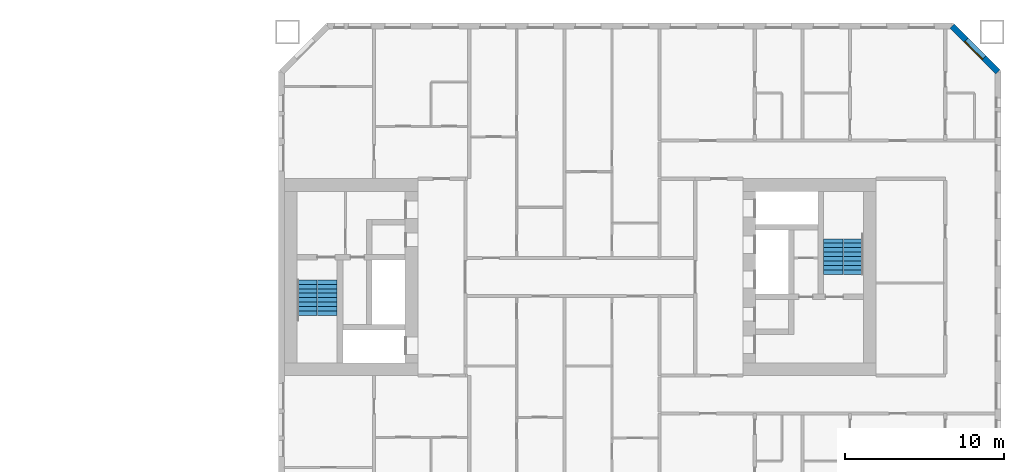
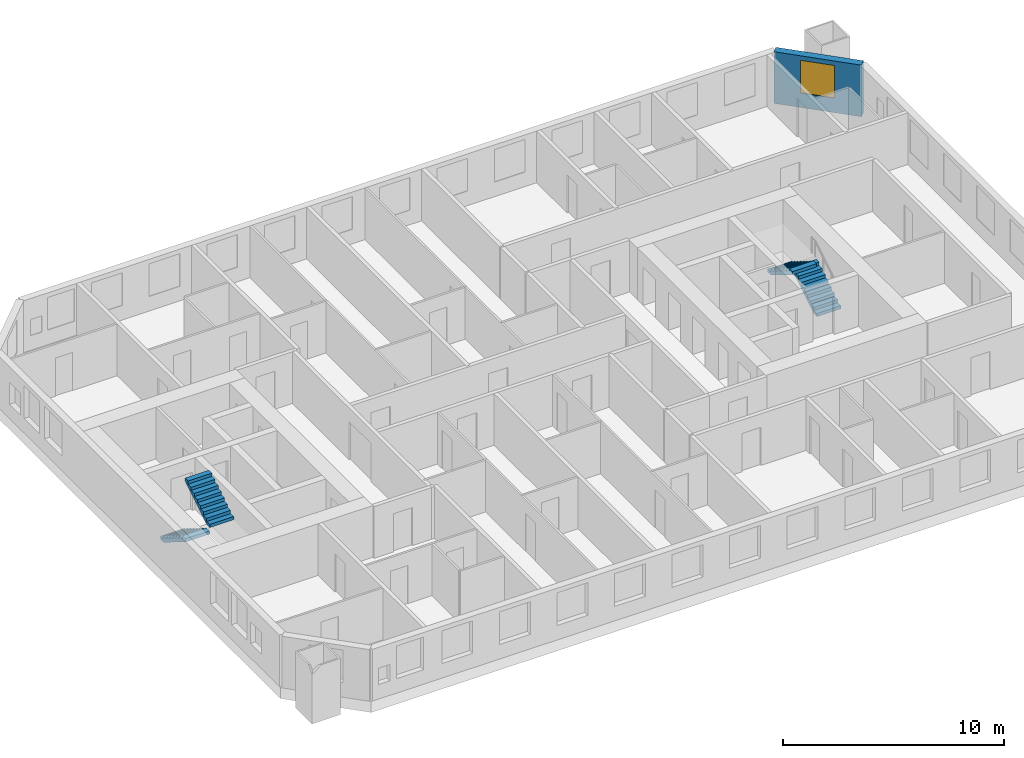
# One storey, part 15 of 17: 4 stair flights, 1 wall, 1 window, 1 opening, 2 elements without a shape of their own.
"""IFC4 building model written with IfcOpenShell, lengths in metres."""

import ifcopenshell
import ifcopenshell.guid

model = None  # the IFC model being written
_history = None  # IfcOwnerHistory: only IFC2X3 demands one
_inside = {}  # id of a spatial element -> (the spatial element, [elements in it])
_under = {}  # id of a project, library or spatial element -> (it, [spatial elements below it])
_declared = {}  # id of a project -> (the project, [libraries it declares])
_typed = {}  # id of a type object -> (the type object, [elements of that type])
_made_of = {}  # id of a material, layer set ... -> (it, [elements and type objects made of it])


def new_model(schema):
    """Start an empty IFC model of exactly this schema.

    Asked for "IFC4X3", IfcOpenShell would pick the latest addendum, in which some entities
    have other attributes; the version numbers below select the first issue.
    IFC2X3 requires an IfcOwnerHistory on every rooted entity: one is made here for all.
    """
    global model, _history
    if schema == "IFC4X3":
        model = ifcopenshell.file(schema_version=(4, 3, 0, 0))
    else:
        model = ifcopenshell.file(schema=schema)
    _inside.clear()
    _under.clear()
    _declared.clear()
    _typed.clear()
    _made_of.clear()
    _history = None
    if model.schema == "IFC2X3":
        org = make("IfcOrganization", Name="unknown")
        user = make(
            "IfcPersonAndOrganization",
            ThePerson=make("IfcPerson", FamilyName="unknown"),
            TheOrganization=org,
        )
        app = make(
            "IfcApplication",
            ApplicationDeveloper=org,
            Version="unknown",
            ApplicationFullName="unknown",
            ApplicationIdentifier="unknown",
        )
        _history = make(
            "IfcOwnerHistory",
            OwningUser=user,
            OwningApplication=app,
            ChangeAction="ADDED",
            CreationDate=0,
        )
    return model


def make(cls, **values):
    """One entity of the class cls with the attributes given. An attribute that is None is left unset."""
    return model.create_entity(
        cls, **{name: value for name, value in values.items() if value is not None}
    )


def rooted(cls, **values):
    """An entity with a GlobalId (a new one), such as an element, a storey or a relation."""
    return make(cls, GlobalId=ifcopenshell.guid.new(), OwnerHistory=_history, **values)


def si_unit(unit_type, name, prefix=None):
    """IfcSIUnit, for example si_unit("LENGTHUNIT", "METRE", prefix="MILLI")."""
    return make("IfcSIUnit", UnitType=unit_type, Prefix=prefix, Name=name)


def assignment(units):
    """IfcUnitAssignment: the units of a project."""
    return None if units is None else make("IfcUnitAssignment", Units=units)


def point(xyz):
    """IfcCartesianPoint."""
    return None if xyz is None else make("IfcCartesianPoint", Coordinates=xyz)


def direction(xyz):
    """IfcDirection."""
    return None if xyz is None else make("IfcDirection", DirectionRatios=xyz)


def frame(location, z_axis=None, x_axis=None):
    """IfcAxis2Placement3D, a coordinate frame: its origin and axes. An axis left out is left unset."""
    return make(
        "IfcAxis2Placement3D",
        Location=point(location),
        Axis=direction(z_axis),
        RefDirection=direction(x_axis),
    )


def frame_2d(location, x_axis=None):
    """IfcAxis2Placement2D, a coordinate frame in the plane: its origin and x axis."""
    return make(
        "IfcAxis2Placement2D", Location=point(location), RefDirection=direction(x_axis)
    )


def origin():
    """The frame at (0, 0, 0) with its axes left unset."""
    return frame((0.0, 0.0, 0.0))


def place(relative_to, where):
    """IfcLocalPlacement: puts the frame where relative to a parent placement (None: the world)."""
    return make(
        "IfcLocalPlacement", PlacementRelTo=relative_to, RelativePlacement=where
    )


def context(
    kind, dimensions, precision=None, world=None, true_north=None, identifier=None
):
    """IfcGeometricRepresentationContext, for example the 3D "Model" context."""
    return make(
        "IfcGeometricRepresentationContext",
        ContextIdentifier=identifier,
        ContextType=kind,
        CoordinateSpaceDimension=dimensions,
        Precision=precision,
        WorldCoordinateSystem=world,
        TrueNorth=true_north,
    )


def subcontext(parent, identifier, kind, view, scale=None):
    """IfcGeometricRepresentationSubContext, for example "Body" below "Model"."""
    return make(
        "IfcGeometricRepresentationSubContext",
        ContextIdentifier=identifier,
        ContextType=kind,
        ParentContext=parent,
        TargetScale=scale,
        TargetView=view,
    )


def project(units=None, contexts=None):
    """IfcProject with its units and contexts."""
    return rooted(
        "IfcProject",
        Name="project",
        RepresentationContexts=contexts,
        UnitsInContext=assignment(units),
    )


def spatial(cls, under=None, at=None, **own):
    """A site, building, storey or space (cls), placed at a placement, below another one or the project."""
    s = rooted(cls, ObjectPlacement=at, **own)
    if under is not None:
        _under.setdefault(under.id(), (under, []))[1].append(s)
    return s


def polyline(points):
    """IfcPolyline through the points."""
    return make("IfcPolyline", Points=[point(p) for p in points])


def profile(cls, at=None, kind="AREA", **sizes):
    """A parametric profile (cls). Its sizes go by their IFC names, for example OverallWidth=200.0."""
    return make(cls, ProfileType=kind, Position=at, **sizes)


def rectangle(**sizes):
    """IfcRectangleProfileDef."""
    return profile("IfcRectangleProfileDef", **sizes)


def outline(outer, holes=None, kind="AREA"):
    """IfcArbitraryClosedProfileDef: a profile drawn as a closed curve; with holes, ...WithVoids."""
    if holes is None:
        return make("IfcArbitraryClosedProfileDef", ProfileType=kind, OuterCurve=outer)
    return make(
        "IfcArbitraryProfileDefWithVoids",
        ProfileType=kind,
        OuterCurve=outer,
        InnerCurves=holes,
    )


def extrude(swept, where, along, depth):
    """IfcExtrudedAreaSolid: the profile swept, set in the frame where, extruded along a direction by depth."""
    return make(
        "IfcExtrudedAreaSolid",
        SweptArea=swept,
        Position=where,
        ExtrudedDirection=direction(along),
        Depth=depth,
    )


def shape(context_of_items, identifier, shape_type, items):
    """IfcShapeRepresentation: the items that make up one representation, for example the "Body"."""
    return make(
        "IfcShapeRepresentation",
        ContextOfItems=context_of_items,
        RepresentationIdentifier=identifier,
        RepresentationType=shape_type,
        Items=items,
    )


def material(Name=None, Category=None):
    """IfcMaterial."""
    return make("IfcMaterial", Name=Name, Category=Category)


def layer(
    of_material, thickness, ventilated=None, Name=None, Category=None, Priority=None
):
    """IfcMaterialLayer: one layer of a wall or slab, of a material (None: an air gap)."""
    return make(
        "IfcMaterialLayer",
        Material=of_material,
        LayerThickness=thickness,
        IsVentilated=ventilated,
        Name=Name,
        Category=Category,
        Priority=Priority,
    )


def layer_set(layers, Name=None):
    """IfcMaterialLayerSet."""
    return make("IfcMaterialLayerSet", MaterialLayers=layers, LayerSetName=Name)


def made_of(thing, what):
    """Note that an element or type object is made of a material, layer set ...; save() writes the relation."""
    if what is not None:
        _made_of.setdefault(what.id(), (what, []))[1].append(thing)
    return thing


def type_object(cls, material=None, **own):
    """A type object (cls), such as IfcWallType, which elements share."""
    return made_of(rooted(cls, **own), material)


def element(
    cls,
    number,
    at=None,
    inside=None,
    cuts=None,
    type_object=None,
    material=None,
    context=None,
    identifier="Body",
    shape_type=None,
    held_by="IfcProductDefinitionShape",
    body=None,
    shapes=None,
    **own,
):
    """One element of the class cls, such as IfcWall. Its Tag is "e" and its number.

    at: its placement. inside: the storey or other place that contains it. cuts: it is an
    opening in that element (IfcRelVoidsElement). A single representation is given by context,
    identifier, shape_type and body (its items); several are given by shapes. held_by: the class
    of the entity that holds the representations. save() writes the other relations.
    """
    e = rooted(cls, Tag="e%d" % number, ObjectPlacement=at, **own)
    if body is not None:
        shapes = [shape(context, identifier, shape_type, body)]
    if shapes is not None:
        e.Representation = make(held_by, Representations=shapes)
    if inside is not None:
        _inside.setdefault(inside.id(), (inside, []))[1].append(e)
    if cuts is not None:
        rooted(
            "IfcRelVoidsElement", RelatingBuildingElement=cuts, RelatedOpeningElement=e
        )
    if type_object is not None:
        _typed.setdefault(type_object.id(), (type_object, []))[1].append(e)
    return made_of(e, material)


def fill(opening, filler):
    """IfcRelFillsElement: the door or window that sits in an opening."""
    return rooted(
        "IfcRelFillsElement",
        RelatingOpeningElement=opening,
        RelatedBuildingElement=filler,
    )


def aggregate(whole, parts):
    """IfcRelAggregates: a whole, such as a stair, and the parts it consists of."""
    return rooted("IfcRelAggregates", RelatingObject=whole, RelatedObjects=parts)


def save(model, path):
    """Write the relations noted so far, then the file.

    IfcRelAggregates (storeys below a building ...), IfcRelContainedInSpatialStructure (elements
    in a storey), IfcRelDefinesByType, IfcRelAssociatesMaterial and IfcRelDeclares: one each for
    every whole, place, type object, material and project.
    """
    for whole, parts in _under.values():
        aggregate(whole, parts)
    for where, things in _inside.values():
        rooted(
            "IfcRelContainedInSpatialStructure",
            RelatedElements=things,
            RelatingStructure=where,
        )
    for kind, things in _typed.values():
        rooted("IfcRelDefinesByType", RelatedObjects=things, RelatingType=kind)
    for what, things in _made_of.values():
        rooted("IfcRelAssociatesMaterial", RelatedObjects=things, RelatingMaterial=what)
    for by, libraries in _declared.values():
        rooted("IfcRelDeclares", RelatingContext=by, RelatedDefinitions=libraries)
    model.write(path)


model = new_model("IFC4")

# Units and contexts
model_context = context("Model", 3, precision=1e-05, world=origin(), true_north=direction((0.0, 1.0)))
body_context = subcontext(model_context, "Body", "Model", "MODEL_VIEW")
ifc_project = project(units=[si_unit("LENGTHUNIT", "METRE"), si_unit("AREAUNIT", "SQUARE_METRE"), si_unit("VOLUMEUNIT", "CUBIC_METRE"), si_unit("PLANEANGLEUNIT", "RADIAN"), si_unit("MASSUNIT", "GRAM", prefix="KILO")], contexts=[model_context])

# Site, building, storey
site_placement = place(None, origin())
site = spatial("IfcSite", under=ifc_project, at=site_placement, CompositionType="ELEMENT")
building_placement = place(site_placement, origin())
building = spatial("IfcBuilding", under=site, at=building_placement, Name="Tuart Gate Housing", CompositionType="ELEMENT")
storey_placement = place(building_placement, frame((0.0, 0.0, 44.300048828125)))
storey = spatial("IfcBuildingStorey", under=building, at=storey_placement, Name="L11", CompositionType="ELEMENT", Elevation=44.300048828125)

# Wall, opening, window
ifc_material_1 = material(Name="Brick", Category="masonry")
ifc_layer = layer(ifc_material_1, 0.360107421875)
ifc_layer_set = layer_set([ifc_layer], Name="Brick pier and spandrel wall 360")
wall_type = type_object("IfcWallType", Name="Brick pier and spandrel wall 360", PredefinedType="STANDARD", material=ifc_layer_set)
wall_placement = place(storey_placement, frame((176.320068359375, 82.92529296875, 0.0), z_axis=(0.0, 0.0, 1.0), x_axis=(-0.707106781187, 0.707106781187, 0.0)))
wall = element("IfcWall", 1, at=wall_placement, inside=storey, type_object=wall_type, Name="External wall B-NE L11", PredefinedType="STANDARD", context=body_context, shape_type="SweptSolid", body=[
    extrude(rectangle(XDim=4.09375, YDim=0.360107421875, at=frame_2d((2.046875, 0.0))), origin(), (0.0, 0.0, 1.0), 2.849853515625),
])
opening_placement = place(wall_placement, frame((1.2470703125, 0.0, 0.800048828125)))
opening = element("IfcOpeningElement", 2, at=opening_placement, cuts=wall, Name="Opening W1", PredefinedType="OPENING", context=body_context, shape_type="SweptSolid", body=[
    extrude(rectangle(XDim=1.60009765625, YDim=1.800048828125, at=frame_2d((0.800048828125, 0.89990234375))), frame((0.0, 0.18994140625, 0.0), z_axis=(0.0, -1.0, 0.0), x_axis=(1.0, 0.0, 0.0)), (0.0, 0.0, 1.0), 0.380126953125),
])
ifc_material_2 = material(Name="Aluminium frame with clear glass", Category="aluminium")
window_type = type_object("IfcWindowType", Name="Punched window 1600 x 1800", PartitioningType="SINGLE_PANEL", PredefinedType="WINDOW", material=ifc_material_2)
window_placement = place(opening_placement, origin())
window = element("IfcWindow", 3, at=window_placement, inside=storey, type_object=window_type, Name="Window W1", OverallHeight=1.800048828125, OverallWidth=1.60009765625, PartitioningType="SINGLE_PANEL", PredefinedType="WINDOW", context=body_context, shape_type="SweptSolid", body=[
    extrude(rectangle(XDim=1.60009765625, YDim=1.800048828125, at=frame_2d((0.800048828125, 0.89990234375))), frame((0.0, 0.150146484375, 0.0), z_axis=(0.0, -1.0, 0.0), x_axis=(1.0, 0.0, 0.0)), (0.0, 0.0, 1.0), 0.06005859375),
])
fill(opening, window)

# Stair, stair flights
ifc_material_3 = material(Name="Concrete C40", Category="concrete")
stair_type = type_object("IfcStairType", Name="Core stair 1250", PredefinedType="HALF_TURN_STAIR", material=ifc_material_3)
stair_1_placement = place(storey_placement, origin())
stair_1 = element("IfcStair", 4, at=stair_1_placement, inside=storey, type_object=stair_type, Name="Stair SB1", PredefinedType="HALF_TURN_STAIR")
ifc_material_4 = material(Name="Concrete C40", Category="concrete")
stair_flight_type = type_object("IfcStairFlightType", Name="Stair flight 1250, 9 risers 172 x 280", PredefinedType="STRAIGHT", material=ifc_material_4)
stair_flight_1_placement = place(storey_placement, frame((132.784912109375, 69.824951171875, 0.0), z_axis=(0.0, 0.0, 1.0), x_axis=(0.0, -1.0, 0.0)))
stair_flight_1 = element("IfcStairFlight", 5, at=stair_flight_1_placement, type_object=stair_flight_type, Name="SB1 flight 1", NumberOfRisers=9, NumberOfTreads=8, PredefinedType="STRAIGHT", RiserHeight=0.172222222, TreadLength=0.28, context=body_context, shape_type="SweptSolid", body=[
    extrude(outline(polyline([(0.0, 0.0), (0.0, 0.172119140625), (0.280029296875, 0.172119140625), (0.280029296875, 0.344482421875), (0.56005859375, 0.344482421875), (0.56005859375, 0.5166015625), (0.840087890625, 0.5166015625), (0.840087890625, 0.68896484375), (1.1201171875, 0.68896484375), (1.1201171875, 0.861083984375), (1.39990234375, 0.861083984375), (1.39990234375, 1.033447265625), (1.679931640625, 1.033447265625), (1.679931640625, 1.20556640625), (1.9599609375, 1.20556640625), (1.9599609375, 1.377685546875), (2.239990234375, 1.377685546875), (2.239990234375, 1.550048828125), (2.239990234375, 1.201904296875), (0.2861328125, 0.0), (0.0, 0.0)])), frame((0.0, 0.625, 0.0), z_axis=(0.0, -1.0, 0.0), x_axis=(1.0, 0.0, 0.0)), (0.0, 0.0, 1.0), 1.25),
])
stair_flight_2_placement = place(storey_placement, frame((134.06005859375, 67.5849609375, 1.550048828125), z_axis=(0.0, 0.0, 1.0), x_axis=(0.0, 1.0, 0.0)))
stair_flight_2 = element("IfcStairFlight", 6, at=stair_flight_2_placement, type_object=stair_flight_type, Name="SB1 flight 2", NumberOfRisers=9, NumberOfTreads=8, PredefinedType="STRAIGHT", RiserHeight=0.172222222, TreadLength=0.28, context=body_context, shape_type="SweptSolid", body=[
    extrude(outline(polyline([(0.0, 0.0), (0.0, 0.172119140625), (0.280029296875, 0.172119140625), (0.280029296875, 0.344482421875), (0.56005859375, 0.344482421875), (0.56005859375, 0.5166015625), (0.840087890625, 0.5166015625), (0.840087890625, 0.68896484375), (1.1201171875, 0.68896484375), (1.1201171875, 0.861083984375), (1.39990234375, 0.861083984375), (1.39990234375, 1.033447265625), (1.679931640625, 1.033447265625), (1.679931640625, 1.20556640625), (1.9599609375, 1.20556640625), (1.9599609375, 1.377685546875), (2.239990234375, 1.377685546875), (2.239990234375, 1.550048828125), (2.239990234375, 1.201904296875), (0.2861328125, 0.0), (0.0, 0.0)])), frame((0.0, 0.625, 0.0), z_axis=(0.0, -1.0, 0.0), x_axis=(1.0, 0.0, 0.0)), (0.0, 0.0, 1.0), 1.25),
])
aggregate(stair_1, [stair_flight_1, stair_flight_2])

stair_2_placement = place(storey_placement, origin())
stair_2 = element("IfcStair", 7, at=stair_2_placement, inside=storey, type_object=stair_type, Name="Stair SB2", PredefinedType="HALF_TURN_STAIR")
stair_flight_3_placement = place(storey_placement, frame((167.215087890625, 70.175048828125, 0.0), z_axis=(0.0, 0.0, 1.0), x_axis=(0.0, 1.0, 0.0)))
stair_flight_3 = element("IfcStairFlight", 8, at=stair_flight_3_placement, type_object=stair_flight_type, Name="SB2 flight 1", NumberOfRisers=9, NumberOfTreads=8, PredefinedType="STRAIGHT", RiserHeight=0.172222222, TreadLength=0.28, context=body_context, shape_type="SweptSolid", body=[
    extrude(outline(polyline([(0.0, 0.0), (0.0, 0.172119140625), (0.280029296875, 0.172119140625), (0.280029296875, 0.344482421875), (0.56005859375, 0.344482421875), (0.56005859375, 0.5166015625), (0.840087890625, 0.5166015625), (0.840087890625, 0.68896484375), (1.1201171875, 0.68896484375), (1.1201171875, 0.861083984375), (1.39990234375, 0.861083984375), (1.39990234375, 1.033447265625), (1.679931640625, 1.033447265625), (1.679931640625, 1.20556640625), (1.9599609375, 1.20556640625), (1.9599609375, 1.377685546875), (2.239990234375, 1.377685546875), (2.239990234375, 1.550048828125), (2.239990234375, 1.201904296875), (0.2861328125, 0.0), (0.0, 0.0)])), frame((0.0, 0.625, 0.0), z_axis=(0.0, -1.0, 0.0), x_axis=(1.0, 0.0, 0.0)), (0.0, 0.0, 1.0), 1.25),
])
stair_flight_4_placement = place(storey_placement, frame((165.93994140625, 72.4150390625, 1.550048828125), z_axis=(0.0, 0.0, 1.0), x_axis=(0.0, -1.0, 0.0)))
stair_flight_4 = element("IfcStairFlight", 9, at=stair_flight_4_placement, type_object=stair_flight_type, Name="SB2 flight 2", NumberOfRisers=9, NumberOfTreads=8, PredefinedType="STRAIGHT", RiserHeight=0.172222222, TreadLength=0.28, context=body_context, shape_type="SweptSolid", body=[
    extrude(outline(polyline([(0.0, 0.0), (0.0, 0.172119140625), (0.280029296875, 0.172119140625), (0.280029296875, 0.344482421875), (0.56005859375, 0.344482421875), (0.56005859375, 0.5166015625), (0.840087890625, 0.5166015625), (0.840087890625, 0.68896484375), (1.1201171875, 0.68896484375), (1.1201171875, 0.861083984375), (1.39990234375, 0.861083984375), (1.39990234375, 1.033447265625), (1.679931640625, 1.033447265625), (1.679931640625, 1.20556640625), (1.9599609375, 1.20556640625), (1.9599609375, 1.377685546875), (2.239990234375, 1.377685546875), (2.239990234375, 1.550048828125), (2.239990234375, 1.201904296875), (0.2861328125, 0.0), (0.0, 0.0)])), frame((0.0, 0.625, 0.0), z_axis=(0.0, -1.0, 0.0), x_axis=(1.0, 0.0, 0.0)), (0.0, 0.0, 1.0), 1.25),
])
aggregate(stair_2, [stair_flight_3, stair_flight_4])

save(model, "model.ifc")
